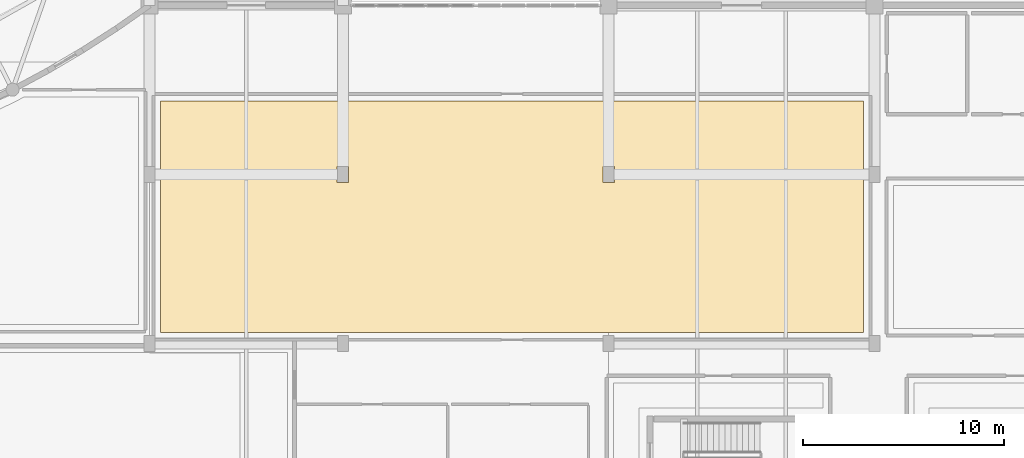
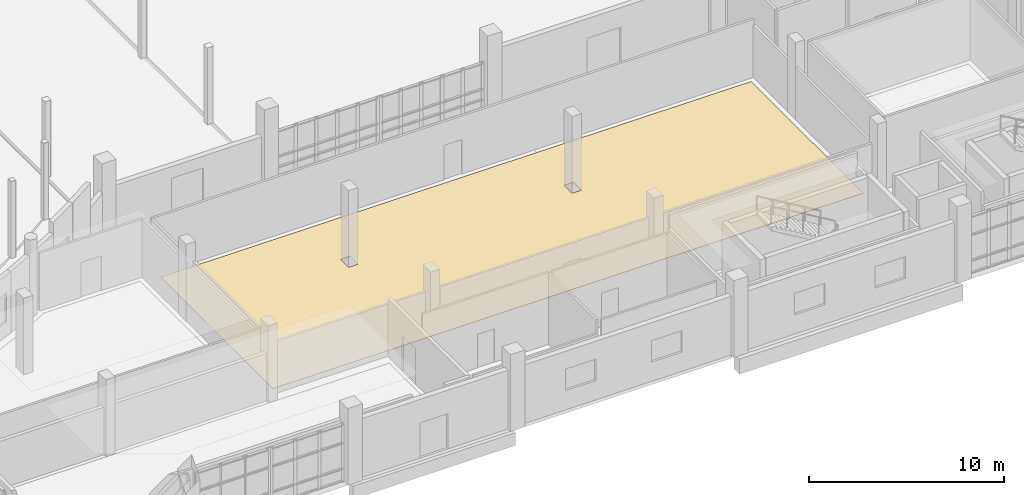
# One storey, part 92 of 97: 1 covering.
"""IFC4 building model written with IfcOpenShell, lengths in metres."""

from ifc_helpers import new_model, si_unit, direction, origin, place, context, subcontext, project, spatial, polyline, outline, extrude, material, layer, layer_set, type_object, element, save


model = new_model("IFC4")

# Units and contexts
model_context = context("Model", 3, precision=1e-05, world=origin(), true_north=direction((0.0, 1.0)))
body_context = subcontext(model_context, "Body", "Model", "MODEL_VIEW")
ifc_project = project(units=[si_unit("LENGTHUNIT", "METRE"), si_unit("AREAUNIT", "SQUARE_METRE"), si_unit("VOLUMEUNIT", "CUBIC_METRE"), si_unit("PLANEANGLEUNIT", "RADIAN"), si_unit("MASSUNIT", "GRAM", prefix="KILO")], contexts=[model_context])

# Site, building, storey
site_placement = place(None, origin())
site = spatial("IfcSite", under=ifc_project, at=site_placement, CompositionType="ELEMENT")
building_placement = place(site_placement, origin())
building = spatial("IfcBuilding", under=site, at=building_placement, Name="Kisaragi Civic Commons", CompositionType="ELEMENT")
storey_placement = place(building_placement, origin())
storey = spatial("IfcBuildingStorey", under=building, at=storey_placement, Name="L00", CompositionType="ELEMENT", Elevation=0.0)

# Covering
ifc_material = material(Name="Honed Mino ceramic tile & resilience acoustic flooring")
ifc_layer = layer(ifc_material, 0.02001953125, Name="Honed Mino ceramic tile & resilience acoustic flooring")
ifc_layer_set = layer_set([ifc_layer], Name="Honed Mino ceramic tile & resilience acoustic flooring")
covering_type = type_object("IfcCoveringType", Name="FLR-01", PredefinedType="FLOORING", material=ifc_layer_set)
covering_placement = place(storey_placement, origin())
element("IfcCovering", 1, at=covering_placement, inside=storey, type_object=covering_type, Name="Dining Hall floor finish", PredefinedType="FLOORING", context=body_context, shape_type="SweptSolid", body=[
    extrude(outline(polyline([(159.050048828125, 8.949951171875), (159.050048828125, 20.449951171875), (124.14990234375, 20.449951171875), (124.14990234375, 8.949951171875), (159.050048828125, 8.949951171875)]), holes=[polyline([(146.679931640625, 16.39501953125), (146.1201171875, 16.39501953125), (146.1201171875, 17.205078125), (146.679931640625, 17.205078125), (146.679931640625, 16.39501953125)]), polyline([(133.47998046875, 16.39501953125), (132.919921875, 16.39501953125), (132.919921875, 17.205078125), (133.47998046875, 17.205078125), (133.47998046875, 16.39501953125)])]), origin(), (0.0, 0.0, 1.0), 0.02001953125),
])

save(model, "model.ifc")
